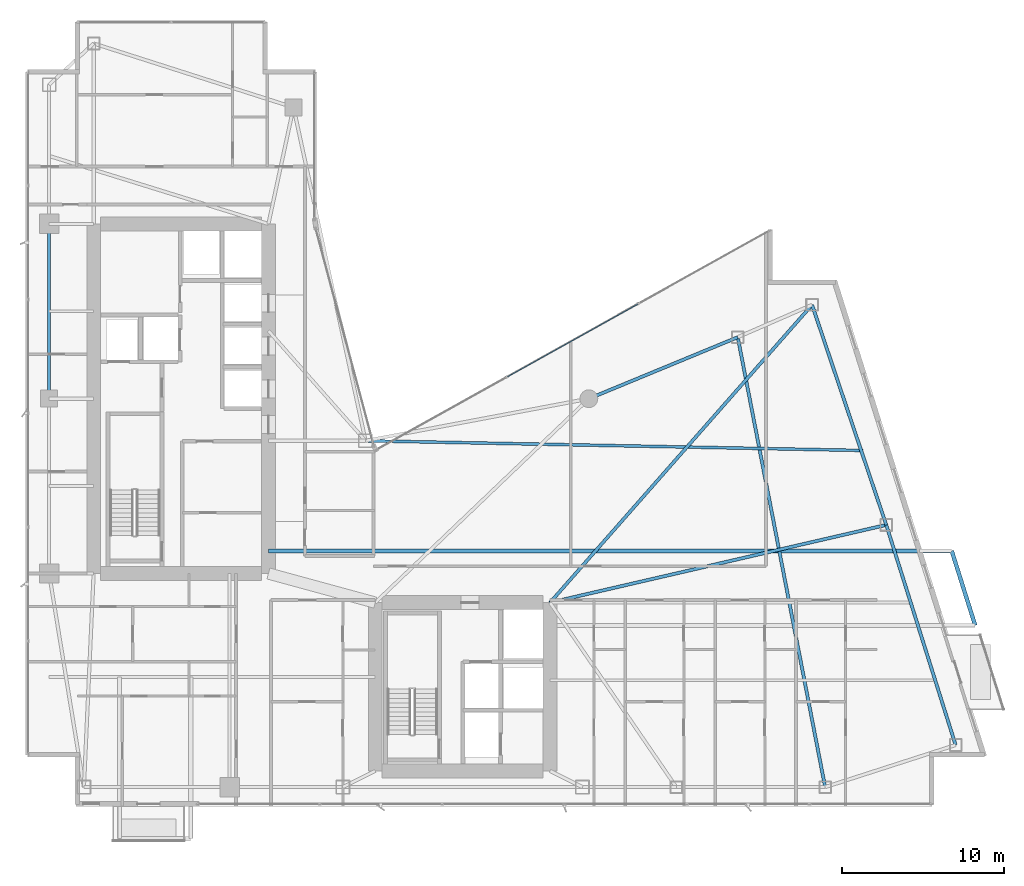
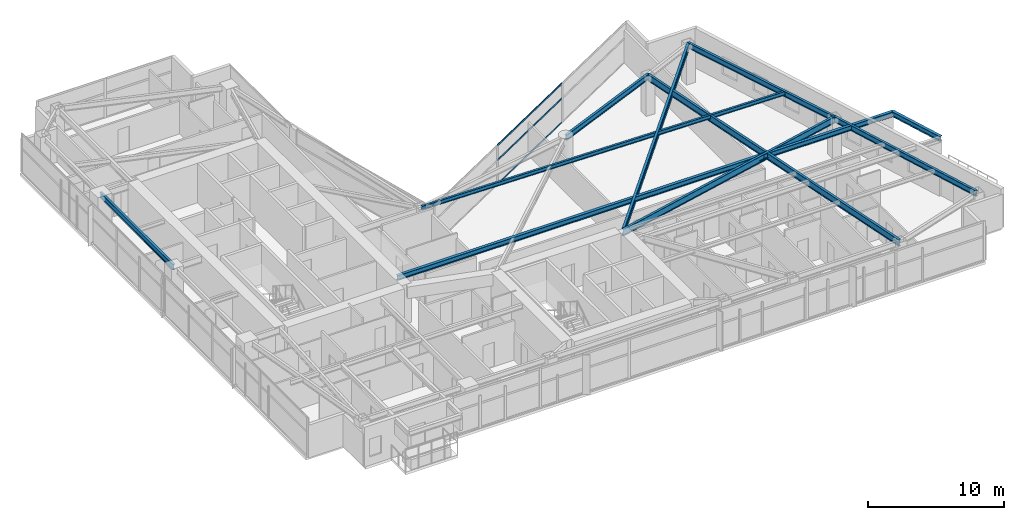
# One storey, part 15 of 29: 10 beams, 3 members, 1 element without a shape of its own.
"""IFC4 building model written with IfcOpenShell, lengths in metres."""

import ifcopenshell
import ifcopenshell.guid

model = None  # the IFC model being written
_history = None  # IfcOwnerHistory: only IFC2X3 demands one
_inside = {}  # id of a spatial element -> (the spatial element, [elements in it])
_under = {}  # id of a project, library or spatial element -> (it, [spatial elements below it])
_declared = {}  # id of a project -> (the project, [libraries it declares])
_typed = {}  # id of a type object -> (the type object, [elements of that type])
_made_of = {}  # id of a material, layer set ... -> (it, [elements and type objects made of it])


def new_model(schema):
    """Start an empty IFC model of exactly this schema.

    Asked for "IFC4X3", IfcOpenShell would pick the latest addendum, in which some entities
    have other attributes; the version numbers below select the first issue.
    IFC2X3 requires an IfcOwnerHistory on every rooted entity: one is made here for all.
    """
    global model, _history
    if schema == "IFC4X3":
        model = ifcopenshell.file(schema_version=(4, 3, 0, 0))
    else:
        model = ifcopenshell.file(schema=schema)
    _inside.clear()
    _under.clear()
    _declared.clear()
    _typed.clear()
    _made_of.clear()
    _history = None
    if model.schema == "IFC2X3":
        org = make("IfcOrganization", Name="unknown")
        user = make(
            "IfcPersonAndOrganization",
            ThePerson=make("IfcPerson", FamilyName="unknown"),
            TheOrganization=org,
        )
        app = make(
            "IfcApplication",
            ApplicationDeveloper=org,
            Version="unknown",
            ApplicationFullName="unknown",
            ApplicationIdentifier="unknown",
        )
        _history = make(
            "IfcOwnerHistory",
            OwningUser=user,
            OwningApplication=app,
            ChangeAction="ADDED",
            CreationDate=0,
        )
    return model


def make(cls, **values):
    """One entity of the class cls with the attributes given. An attribute that is None is left unset."""
    return model.create_entity(
        cls, **{name: value for name, value in values.items() if value is not None}
    )


def rooted(cls, **values):
    """An entity with a GlobalId (a new one), such as an element, a storey or a relation."""
    return make(cls, GlobalId=ifcopenshell.guid.new(), OwnerHistory=_history, **values)


def si_unit(unit_type, name, prefix=None):
    """IfcSIUnit, for example si_unit("LENGTHUNIT", "METRE", prefix="MILLI")."""
    return make("IfcSIUnit", UnitType=unit_type, Prefix=prefix, Name=name)


def assignment(units):
    """IfcUnitAssignment: the units of a project."""
    return None if units is None else make("IfcUnitAssignment", Units=units)


def point(xyz):
    """IfcCartesianPoint."""
    return None if xyz is None else make("IfcCartesianPoint", Coordinates=xyz)


def direction(xyz):
    """IfcDirection."""
    return None if xyz is None else make("IfcDirection", DirectionRatios=xyz)


def frame(location, z_axis=None, x_axis=None):
    """IfcAxis2Placement3D, a coordinate frame: its origin and axes. An axis left out is left unset."""
    return make(
        "IfcAxis2Placement3D",
        Location=point(location),
        Axis=direction(z_axis),
        RefDirection=direction(x_axis),
    )


def frame_2d(location, x_axis=None):
    """IfcAxis2Placement2D, a coordinate frame in the plane: its origin and x axis."""
    return make(
        "IfcAxis2Placement2D", Location=point(location), RefDirection=direction(x_axis)
    )


def origin():
    """The frame at (0, 0, 0) with its axes left unset."""
    return frame((0.0, 0.0, 0.0))


def origin_2d():
    """The frame at (0, 0) in the plane with its x axis left unset."""
    return frame_2d((0.0, 0.0))


def place(relative_to, where):
    """IfcLocalPlacement: puts the frame where relative to a parent placement (None: the world)."""
    return make(
        "IfcLocalPlacement", PlacementRelTo=relative_to, RelativePlacement=where
    )


def context(
    kind, dimensions, precision=None, world=None, true_north=None, identifier=None
):
    """IfcGeometricRepresentationContext, for example the 3D "Model" context."""
    return make(
        "IfcGeometricRepresentationContext",
        ContextIdentifier=identifier,
        ContextType=kind,
        CoordinateSpaceDimension=dimensions,
        Precision=precision,
        WorldCoordinateSystem=world,
        TrueNorth=true_north,
    )


def subcontext(parent, identifier, kind, view, scale=None):
    """IfcGeometricRepresentationSubContext, for example "Body" below "Model"."""
    return make(
        "IfcGeometricRepresentationSubContext",
        ContextIdentifier=identifier,
        ContextType=kind,
        ParentContext=parent,
        TargetScale=scale,
        TargetView=view,
    )


def project(units=None, contexts=None):
    """IfcProject with its units and contexts."""
    return rooted(
        "IfcProject",
        Name="project",
        RepresentationContexts=contexts,
        UnitsInContext=assignment(units),
    )


def spatial(cls, under=None, at=None, **own):
    """A site, building, storey or space (cls), placed at a placement, below another one or the project."""
    s = rooted(cls, ObjectPlacement=at, **own)
    if under is not None:
        _under.setdefault(under.id(), (under, []))[1].append(s)
    return s


def profile(cls, at=None, kind="AREA", **sizes):
    """A parametric profile (cls). Its sizes go by their IFC names, for example OverallWidth=200.0."""
    return make(cls, ProfileType=kind, Position=at, **sizes)


def hollow_rectangle(**sizes):
    """IfcRectangleHollowProfileDef."""
    return profile("IfcRectangleHollowProfileDef", **sizes)


def i_section(**sizes):
    """IfcIShapeProfileDef."""
    return profile("IfcIShapeProfileDef", **sizes)


def extrude(swept, where, along, depth):
    """IfcExtrudedAreaSolid: the profile swept, set in the frame where, extruded along a direction by depth."""
    return make(
        "IfcExtrudedAreaSolid",
        SweptArea=swept,
        Position=where,
        ExtrudedDirection=direction(along),
        Depth=depth,
    )


def shape(context_of_items, identifier, shape_type, items):
    """IfcShapeRepresentation: the items that make up one representation, for example the "Body"."""
    return make(
        "IfcShapeRepresentation",
        ContextOfItems=context_of_items,
        RepresentationIdentifier=identifier,
        RepresentationType=shape_type,
        Items=items,
    )


def material(Name=None, Category=None):
    """IfcMaterial."""
    return make("IfcMaterial", Name=Name, Category=Category)


def layer(
    of_material, thickness, ventilated=None, Name=None, Category=None, Priority=None
):
    """IfcMaterialLayer: one layer of a wall or slab, of a material (None: an air gap)."""
    return make(
        "IfcMaterialLayer",
        Material=of_material,
        LayerThickness=thickness,
        IsVentilated=ventilated,
        Name=Name,
        Category=Category,
        Priority=Priority,
    )


def layer_set(layers, Name=None):
    """IfcMaterialLayerSet."""
    return make("IfcMaterialLayerSet", MaterialLayers=layers, LayerSetName=Name)


def material_profile(
    of_material, cross_section, Name=None, Category=None, Priority=None
):
    """IfcMaterialProfile: a cross section and its material."""
    return make(
        "IfcMaterialProfile",
        Name=Name,
        Material=of_material,
        Profile=cross_section,
        Priority=Priority,
        Category=Category,
    )


def profile_set(profiles, Name=None, composite=None):
    """IfcMaterialProfileSet."""
    return make(
        "IfcMaterialProfileSet",
        Name=Name,
        MaterialProfiles=profiles,
        CompositeProfile=composite,
    )


def made_of(thing, what):
    """Note that an element or type object is made of a material, layer set ...; save() writes the relation."""
    if what is not None:
        _made_of.setdefault(what.id(), (what, []))[1].append(thing)
    return thing


def type_object(cls, material=None, **own):
    """A type object (cls), such as IfcWallType, which elements share."""
    return made_of(rooted(cls, **own), material)


def element(
    cls,
    number,
    at=None,
    inside=None,
    cuts=None,
    type_object=None,
    material=None,
    context=None,
    identifier="Body",
    shape_type=None,
    held_by="IfcProductDefinitionShape",
    body=None,
    shapes=None,
    **own,
):
    """One element of the class cls, such as IfcWall. Its Tag is "e" and its number.

    at: its placement. inside: the storey or other place that contains it. cuts: it is an
    opening in that element (IfcRelVoidsElement). A single representation is given by context,
    identifier, shape_type and body (its items); several are given by shapes. held_by: the class
    of the entity that holds the representations. save() writes the other relations.
    """
    e = rooted(cls, Tag="e%d" % number, ObjectPlacement=at, **own)
    if body is not None:
        shapes = [shape(context, identifier, shape_type, body)]
    if shapes is not None:
        e.Representation = make(held_by, Representations=shapes)
    if inside is not None:
        _inside.setdefault(inside.id(), (inside, []))[1].append(e)
    if cuts is not None:
        rooted(
            "IfcRelVoidsElement", RelatingBuildingElement=cuts, RelatedOpeningElement=e
        )
    if type_object is not None:
        _typed.setdefault(type_object.id(), (type_object, []))[1].append(e)
    return made_of(e, material)


def aggregate(whole, parts):
    """IfcRelAggregates: a whole, such as a stair, and the parts it consists of."""
    return rooted("IfcRelAggregates", RelatingObject=whole, RelatedObjects=parts)


def save(model, path):
    """Write the relations noted so far, then the file.

    IfcRelAggregates (storeys below a building ...), IfcRelContainedInSpatialStructure (elements
    in a storey), IfcRelDefinesByType, IfcRelAssociatesMaterial and IfcRelDeclares: one each for
    every whole, place, type object, material and project.
    """
    for whole, parts in _under.values():
        aggregate(whole, parts)
    for where, things in _inside.values():
        rooted(
            "IfcRelContainedInSpatialStructure",
            RelatedElements=things,
            RelatingStructure=where,
        )
    for kind, things in _typed.values():
        rooted("IfcRelDefinesByType", RelatedObjects=things, RelatingType=kind)
    for what, things in _made_of.values():
        rooted("IfcRelAssociatesMaterial", RelatedObjects=things, RelatingMaterial=what)
    for by, libraries in _declared.values():
        rooted("IfcRelDeclares", RelatingContext=by, RelatedDefinitions=libraries)
    model.write(path)


model = new_model("IFC4")

# Units and contexts
model_context = context("Model", 3, precision=1e-05, world=origin(), true_north=direction((0.0, 1.0)))
body_context = subcontext(model_context, "Body", "Model", "MODEL_VIEW")
ifc_project = project(units=[si_unit("LENGTHUNIT", "METRE"), si_unit("AREAUNIT", "SQUARE_METRE"), si_unit("VOLUMEUNIT", "CUBIC_METRE"), si_unit("PLANEANGLEUNIT", "RADIAN"), si_unit("MASSUNIT", "GRAM", prefix="KILO")], contexts=[model_context])

# Site, building, storey
site_placement = place(None, origin())
site = spatial("IfcSite", under=ifc_project, at=site_placement, CompositionType="ELEMENT")
building_placement = place(site_placement, origin())
building = spatial("IfcBuilding", under=site, at=building_placement, Name="Calvorn Quay Hotel", CompositionType="ELEMENT")
storey_placement = place(building_placement, frame((0.0, 0.0, 171.300048828125)))
storey = spatial("IfcBuildingStorey", under=building, at=storey_placement, Name="L42", CompositionType="ELEMENT", Elevation=171.300048828125)

# Beams
ifc_material_1 = material(Name="Steel Q355B", Category="steel")
ifc_material_profile_1 = material_profile(ifc_material_1, i_section(OverallWidth=0.25, OverallDepth=0.449951171875, WebThickness=0.011962890625, FlangeThickness=0.01611328125, FilletRadius=0.01611328125, at=origin_2d()), Name="HN450x250x12x16")
ifc_profile_set_1 = profile_set([ifc_material_profile_1], Name="Steel Q355B")
beam_type_1 = type_object("IfcBeamType", Name="BM-CANT-BALC", PredefinedType="BEAM", material=ifc_profile_set_1)
beam_1_placement = place(storey_placement, frame((15.0, 18.199951171875, 3.31494140625), z_axis=(1.0, 0.0, 0.0), x_axis=(0.0, 1.0, 0.0)))
element("IfcBeam", 1, at=beam_1_placement, inside=storey, type_object=beam_type_1, Name="Cantilever Balcony Beam BCB-L43-1B", PredefinedType="BEAM", context=body_context, shape_type="SweptSolid", body=[
    extrude(i_section(OverallWidth=0.25, OverallDepth=0.449951171875, WebThickness=0.011962890625, FlangeThickness=0.01611328125, FilletRadius=0.01611328125, at=origin_2d()), origin(), (0.0, 0.0, 1.0), 42.219970703125),
])
beam_2_placement = place(storey_placement, frame((58.6689453125, 13.60009765625, 3.31494140625), z_axis=(-0.300450487966, 0.953797412599, 0.0), x_axis=(-0.953797412599, -0.300450487966, 0.0)))
element("IfcBeam", 2, at=beam_2_placement, inside=storey, type_object=beam_type_1, Name="Beam BCBO-L43-1", PredefinedType="BEAM", context=body_context, shape_type="SweptSolid", body=[
    extrude(i_section(OverallWidth=0.25, OverallDepth=0.449951171875, WebThickness=0.011962890625, FlangeThickness=0.01611328125, FilletRadius=0.01611328125, at=origin_2d()), origin(), (0.0, 0.0, 1.0), 4.82275390625),
])
ifc_material_2 = material(Name="Steel Q355B", Category="steel")
ifc_material_profile_2 = material_profile(ifc_material_2, i_section(OverallWidth=0.199951171875, OverallDepth=0.60009765625, WebThickness=0.010986328125, FlangeThickness=0.01708984375, FilletRadius=0.01806640625, at=origin_2d()), Name="HN600x200x11x17")
ifc_profile_set_2 = profile_set([ifc_material_profile_2], Name="Steel Q355B")
beam_type_2 = type_object("IfcBeamType", Name="BM-GIRD-TYP", PredefinedType="BEAM", material=ifc_profile_set_2)
beam_3_placement = place(storey_placement, frame((32.39990234375, 15.0, 3.239990234375), z_axis=(0.974334045812, 0.225107012711, 0.0), x_axis=(-0.225107012711, 0.974334045812, 0.0)))
element("IfcBeam", 3, at=beam_3_placement, inside=storey, type_object=beam_type_2, Name="Beam BG-L42-E2", PredefinedType="BEAM", context=body_context, shape_type="SweptSolid", body=[
    extrude(i_section(OverallWidth=0.199951171875, OverallDepth=0.60009765625, WebThickness=0.010986328125, FlangeThickness=0.01708984375, FilletRadius=0.01806640625, at=origin_2d()), origin(), (0.0, 0.0, 1.0), 21.323486328125),
])
beam_4_placement = place(storey_placement, frame((32.39990234375, 15.0, 3.239990234375), z_axis=(0.660610604248, 0.750728732336, 0.0), x_axis=(-0.750728732336, 0.660610604248, 0.0)))
element("IfcBeam", 4, at=beam_4_placement, inside=storey, type_object=beam_type_2, Name="Beam BG-L42-E3", PredefinedType="BEAM", context=body_context, shape_type="SweptSolid", body=[
    extrude(i_section(OverallWidth=0.199951171875, OverallDepth=0.60009765625, WebThickness=0.010986328125, FlangeThickness=0.01708984375, FilletRadius=0.01806640625, at=origin_2d()), origin(), (0.0, 0.0, 1.0), 24.50927734375),
])
beam_5_placement = place(storey_placement, frame((49.39990234375, 3.60009765625, 3.239990234375), z_axis=(-0.190678596862, 0.981652521363, 0.0), x_axis=(-0.981652521363, -0.190678596862, 0.0)))
element("IfcBeam", 5, at=beam_5_placement, inside=storey, type_object=beam_type_2, Name="Beam BG-L42-E5", PredefinedType="BEAM", context=body_context, shape_type="SweptSolid", body=[
    extrude(i_section(OverallWidth=0.199951171875, OverallDepth=0.60009765625, WebThickness=0.010986328125, FlangeThickness=0.01708984375, FilletRadius=0.01806640625, at=origin_2d()), origin(), (0.0, 0.0, 1.0), 28.3193359375),
])
ifc_material_3 = material(Name="Steel Q355B", Category="steel")
ifc_material_profile_3 = material_profile(ifc_material_3, i_section(OverallWidth=0.175048828125, OverallDepth=0.35009765625, WebThickness=0.007080078125, FlangeThickness=0.010986328125, FilletRadius=0.013916015625, at=origin_2d()), Name="HN350x175x7x11")
ifc_profile_set_3 = profile_set([ifc_material_profile_3], Name="Steel Q355B")
beam_type_3 = type_object("IfcBeamType", Name="BM-JOIST-SEC", PredefinedType="JOIST", material=ifc_profile_set_3)
beam_6_placement = place(storey_placement, frame((21.0, 25.0, 3.364990234375), z_axis=(0.999809345134, -0.019526222968, 0.0), x_axis=(0.019526222968, 0.999809345134, 0.0)))
element("IfcBeam", 6, at=beam_6_placement, inside=storey, type_object=beam_type_3, Name="Beam BJ-L42-E3", PredefinedType="JOIST", context=body_context, shape_type="SweptSolid", body=[
    extrude(i_section(OverallWidth=0.175048828125, OverallDepth=0.35009765625, WebThickness=0.007080078125, FlangeThickness=0.010986328125, FilletRadius=0.013916015625, at=origin_2d()), origin(), (0.0, 0.0, 1.0), 30.73291015625),
])
ifc_material_4 = material(Name="Steel Q355B", Category="steel")
ifc_material_profile_4 = material_profile(ifc_material_4, i_section(OverallWidth=0.199951171875, OverallDepth=0.5, WebThickness=0.010009765625, FlangeThickness=0.01611328125, FilletRadius=0.01611328125, at=origin_2d()), Name="HN500x200x10x16")
ifc_profile_set_4 = profile_set([ifc_material_profile_4], Name="Steel Q355B")
beam_type_4 = type_object("IfcBeamType", Name="BM-SPANDREL-Z1", PredefinedType="SPANDREL", material=ifc_profile_set_4)
beam_7_placement = place(storey_placement, frame((1.449951171875, 27.60009765625, 3.2900390625), z_axis=(0.0, 1.0, 0.0), x_axis=(-1.0, 0.0, 0.0)))
element("IfcBeam", 7, at=beam_7_placement, inside=storey, type_object=beam_type_4, Name="Beam BSP-L42-W3", PredefinedType="SPANDREL", context=body_context, shape_type="SweptSolid", body=[
    extrude(i_section(OverallWidth=0.199951171875, OverallDepth=0.5, WebThickness=0.010009765625, FlangeThickness=0.01611328125, FilletRadius=0.01611328125, at=origin_2d()), origin(), (0.0, 0.0, 1.0), 10.7998046875),
])
beam_8_placement = place(storey_placement, frame((57.4609375, 6.199951171875, 3.2900390625), z_axis=(-0.300502802767, 0.953780931624, 0.0), x_axis=(-0.953780931624, -0.300502802767, 0.0)))
element("IfcBeam", 8, at=beam_8_placement, inside=storey, type_object=beam_type_4, Name="Beam BSP-L42-E1", PredefinedType="SPANDREL", context=body_context, shape_type="SweptSolid", body=[
    extrude(i_section(OverallWidth=0.199951171875, OverallDepth=0.5, WebThickness=0.010009765625, FlangeThickness=0.01611328125, FilletRadius=0.01611328125, at=origin_2d()), origin(), (0.0, 0.0, 1.0), 14.259033203125),
])
beam_9_placement = place(storey_placement, frame((53.176025390625, 19.800048828125, 3.2900390625), z_axis=(-0.319466515944, 0.947597564998, 0.0), x_axis=(-0.947597564998, -0.319466515944, 0.0)))
element("IfcBeam", 9, at=beam_9_placement, inside=storey, type_object=beam_type_4, Name="Beam BSP-L42-E2", PredefinedType="SPANDREL", context=body_context, shape_type="SweptSolid", body=[
    extrude(i_section(OverallWidth=0.199951171875, OverallDepth=0.5, WebThickness=0.010009765625, FlangeThickness=0.01611328125, FilletRadius=0.01611328125, at=origin_2d()), origin(), (0.0, 0.0, 1.0), 14.35205078125),
])
beam_10_placement = place(storey_placement, frame((44.0, 31.39990234375, 3.2900390625), z_axis=(-0.92426763497, -0.381745123017, 0.0), x_axis=(0.381745123017, -0.92426763497, 0.0)))
element("IfcBeam", 10, at=beam_10_placement, inside=storey, type_object=beam_type_4, Name="Beam BSP-L42-E4", PredefinedType="SPANDREL", context=body_context, shape_type="SweptSolid", body=[
    extrude(i_section(OverallWidth=0.199951171875, OverallDepth=0.5, WebThickness=0.010009765625, FlangeThickness=0.01611328125, FilletRadius=0.01611328125, at=origin_2d()), origin(), (0.0, 0.0, 1.0), 9.953857421875),
])

# Curtain wall, members
ifc_material_5 = material(Name="Pale Anodised Aluminium and Low-E Glass", Category="aluminium")
ifc_layer = layer(ifc_material_5, 0.219970703125)
ifc_layer_set = layer_set([ifc_layer], Name="CW-SYS-Z2")
curtain_wall_type = type_object("IfcCurtainWallType", Name="CW-SYS-Z2", PredefinedType="NOTDEFINED", material=ifc_layer_set)
curtain_wall_placement = place(storey_placement, origin())
curtain_wall = element("IfcCurtainWall", 11, at=curtain_wall_placement, inside=storey, type_object=curtain_wall_type, Name="Inner Court Curtain Wall L42-NE1", PredefinedType="NOTDEFINED")
ifc_material_6 = material(Name="Pale Anodised Aluminium 6063-T6", Category="aluminium")
ifc_material_profile_5 = material_profile(ifc_material_6, hollow_rectangle(XDim=0.06005859375, YDim=0.14990234375, WallThickness=0.00341796875, at=origin_2d()), Name="ALU-T150x60x3.5")
ifc_profile_set_5 = profile_set([ifc_material_profile_5], Name="Pale Anodised Aluminium 6063-T6")
member_type = type_object("IfcMemberType", Name="CW-SYS-Z2-TRN", PredefinedType="USERDEFINED", material=ifc_profile_set_5)
member_1_placement = place(storey_placement, frame((37.840576171875, 33.4521484375, 0.030029296875), z_axis=(-0.873483012802, -0.486854625474, 0.0), x_axis=(0.486854625474, -0.873483012802, 0.0)))
member_1 = element("IfcMember", 12, at=member_1_placement, type_object=member_type, Name="CW-L42-NE1 transom 2.1", ObjectType="TRANSOM", PredefinedType="USERDEFINED", context=body_context, shape_type="SweptSolid", body=[
    extrude(hollow_rectangle(XDim=0.06005859375, YDim=0.14990234375, WallThickness=0.00341796875, at=origin_2d()), origin(), (0.0, 0.0, 1.0), 9.25146484375),
])
member_2_placement = place(storey_placement, frame((37.840576171875, 33.4521484375, 2.199951171875), z_axis=(-0.873483012802, -0.486854625474, 0.0), x_axis=(0.486854625474, -0.873483012802, 0.0)))
member_2 = element("IfcMember", 13, at=member_2_placement, type_object=member_type, Name="CW-L42-NE1 transom 2.2", ObjectType="TRANSOM", PredefinedType="USERDEFINED", context=body_context, shape_type="SweptSolid", body=[
    extrude(hollow_rectangle(XDim=0.06005859375, YDim=0.14990234375, WallThickness=0.00341796875, at=origin_2d()), origin(), (0.0, 0.0, 1.0), 9.25146484375),
])
member_3_placement = place(storey_placement, frame((37.840576171875, 33.4521484375, 3.530029296875), z_axis=(-0.873483012802, -0.486854625474, 0.0), x_axis=(0.486854625474, -0.873483012802, 0.0)))
member_3 = element("IfcMember", 14, at=member_3_placement, type_object=member_type, Name="CW-L42-NE1 transom 2.3", ObjectType="TRANSOM", PredefinedType="USERDEFINED", context=body_context, shape_type="SweptSolid", body=[
    extrude(hollow_rectangle(XDim=0.06005859375, YDim=0.14990234375, WallThickness=0.00341796875, at=origin_2d()), origin(), (0.0, 0.0, 1.0), 9.25146484375),
])
aggregate(curtain_wall, [member_1, member_2, member_3])

save(model, "model.ifc")
